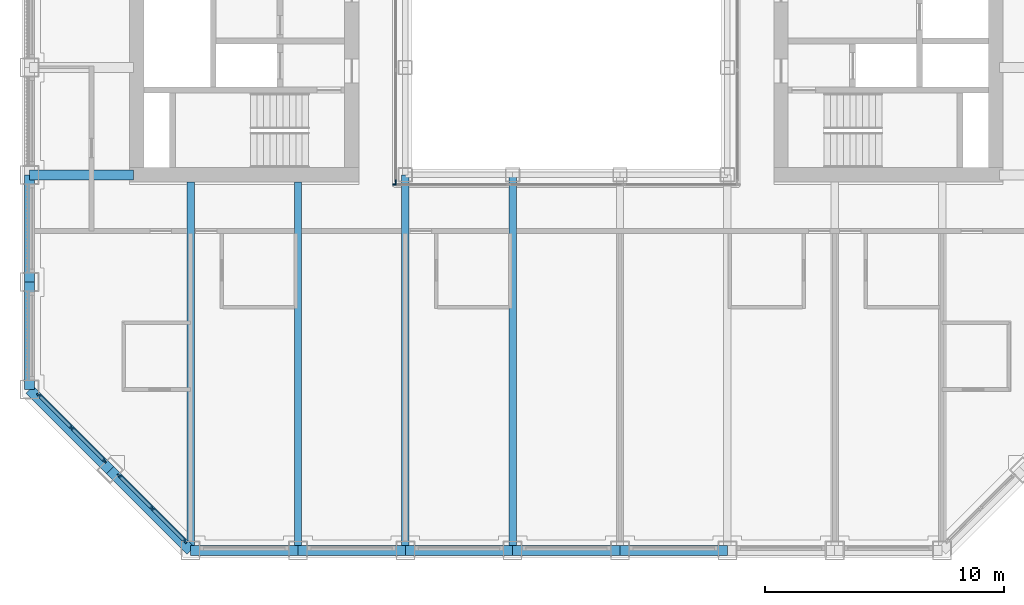
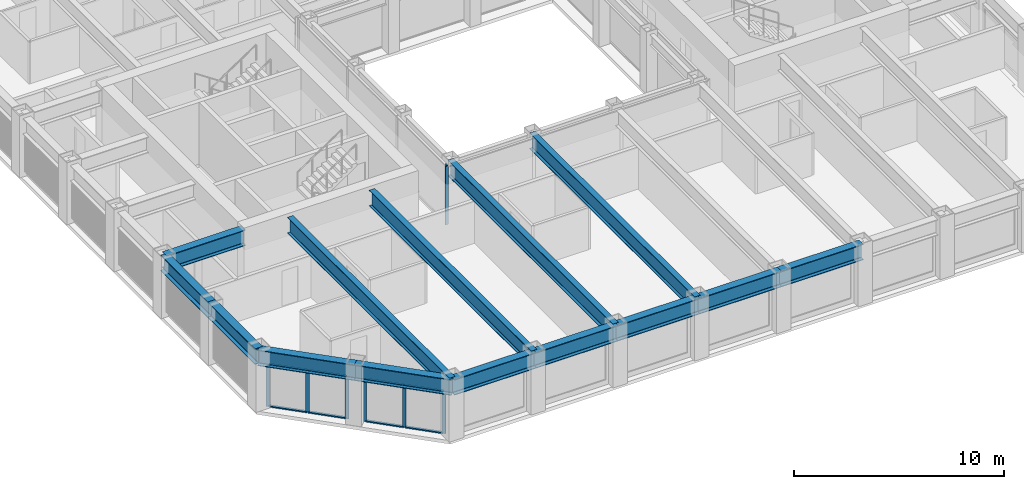
# One storey, part 2 of 17: 16 members, 14 beams, 4 elements without a shape of their own.
"""IFC4 building model written with IfcOpenShell, lengths in metres."""

from ifc_helpers import new_model, si_unit, direction, frame, origin, origin_2d, place, context, subcontext, project, spatial, rectangle, i_section, extrude, material, material_profile, profile_set, type_object, element, aggregate, save


model = new_model("IFC4")

# Units and contexts
model_context = context("Model", 3, precision=1e-05, world=origin(), true_north=direction((0.0, 1.0)))
body_context = subcontext(model_context, "Body", "Model", "MODEL_VIEW")
ifc_project = project(units=[si_unit("LENGTHUNIT", "METRE"), si_unit("AREAUNIT", "SQUARE_METRE"), si_unit("VOLUMEUNIT", "CUBIC_METRE"), si_unit("PLANEANGLEUNIT", "RADIAN"), si_unit("MASSUNIT", "GRAM", prefix="KILO")], contexts=[model_context])

# Site, building, storey
site_placement = place(None, origin())
site = spatial("IfcSite", under=ifc_project, at=site_placement, CompositionType="ELEMENT")
building_placement = place(site_placement, origin())
building = spatial("IfcBuilding", under=site, at=building_placement, Name="Msasa Ring Tower", CompositionType="ELEMENT")
storey_placement = place(building_placement, frame((0.0, 0.0, 176.0)))
storey = spatial("IfcBuildingStorey", under=building, at=storey_placement, Name="L46", CompositionType="ELEMENT", Elevation=176.0)

# Curtain wall, members
ifc_material_1 = material(Name="Aluminium curtain wall with clear glass", Category="aluminium")
curtain_wall_type_1 = type_object("IfcCurtainWallType", Name="CW-C CHAMFER CORNER CURTAIN WALL", PredefinedType="NOTDEFINED", material=ifc_material_1)
curtain_wall_1_placement = place(storey_placement, origin())
curtain_wall_1 = element("IfcCurtainWall", 1, at=curtain_wall_1_placement, inside=storey, type_object=curtain_wall_type_1, Name="Chamfer corner curtain wall SW L46", PredefinedType="NOTDEFINED")
ifc_material_2 = material(Name="Aluminium mullion", Category="aluminium")
ifc_material_profile_1 = material_profile(ifc_material_2, rectangle(XDim=0.06494140625, YDim=0.179931640625, at=origin_2d()), Name="AL 65x180")
ifc_profile_set_1 = profile_set([ifc_material_profile_1], Name="Aluminium mullion")
member_type_1 = type_object("IfcMemberType", Name="CW-C MULLION 65x180", PredefinedType="MULLION", material=ifc_profile_set_1)
member_1_placement = place(storey_placement, frame((-22.119873046875, -15.98876953125, 0.0), z_axis=(0.0, 0.0, 1.0), x_axis=(0.707106781187, 0.707106781187, 0.0)))
member_1 = element("IfcMember", 2, at=member_1_placement, type_object=member_type_1, Name="CW-C mullion 1", PredefinedType="MULLION", context=body_context, shape_type="SweptSolid", body=[
    extrude(rectangle(XDim=0.06494140625, YDim=0.179931640625, at=origin_2d()), origin(), (0.0, 0.0, 1.0), 2.47900390625),
])
member_2_placement = place(storey_placement, frame((-20.74169921875, -17.36669921875, 0.0), z_axis=(0.0, 0.0, 1.0), x_axis=(0.707106781187, 0.707106781187, 0.0)))
member_2 = element("IfcMember", 3, at=member_2_placement, type_object=member_type_1, Name="CW-C mullion 2", PredefinedType="MULLION", context=body_context, shape_type="SweptSolid", body=[
    extrude(rectangle(XDim=0.06494140625, YDim=0.179931640625, at=origin_2d()), origin(), (0.0, 0.0, 1.0), 2.47900390625),
])
member_3_placement = place(storey_placement, frame((-19.36376953125, -18.744873046875, 0.0), z_axis=(0.0, 0.0, 1.0), x_axis=(0.707106781187, 0.707106781187, 0.0)))
member_3 = element("IfcMember", 4, at=member_3_placement, type_object=member_type_1, Name="CW-C mullion 3", PredefinedType="MULLION", context=body_context, shape_type="SweptSolid", body=[
    extrude(rectangle(XDim=0.06494140625, YDim=0.179931640625, at=origin_2d()), origin(), (0.0, 0.0, 1.0), 2.47900390625),
])

curtain_wall_2_placement = place(storey_placement, origin())
curtain_wall_2 = element("IfcCurtainWall", 5, at=curtain_wall_2_placement, inside=storey, type_object=curtain_wall_type_1, Name="Chamfer corner curtain wall SW L46", PredefinedType="NOTDEFINED")
member_4_placement = place(storey_placement, frame((-18.744873046875, -19.36376953125, 0.0), z_axis=(0.0, 0.0, 1.0), x_axis=(0.707106781187, 0.707106781187, 0.0)))
member_4 = element("IfcMember", 6, at=member_4_placement, type_object=member_type_1, Name="CW-C mullion 1", PredefinedType="MULLION", context=body_context, shape_type="SweptSolid", body=[
    extrude(rectangle(XDim=0.06494140625, YDim=0.179931640625, at=origin_2d()), origin(), (0.0, 0.0, 1.0), 2.47900390625),
])
member_5_placement = place(storey_placement, frame((-17.36669921875, -20.74169921875, 0.0), z_axis=(0.0, 0.0, 1.0), x_axis=(0.707106781187, 0.707106781187, 0.0)))
member_5 = element("IfcMember", 7, at=member_5_placement, type_object=member_type_1, Name="CW-C mullion 2", PredefinedType="MULLION", context=body_context, shape_type="SweptSolid", body=[
    extrude(rectangle(XDim=0.06494140625, YDim=0.179931640625, at=origin_2d()), origin(), (0.0, 0.0, 1.0), 2.47900390625),
])
member_6_placement = place(storey_placement, frame((-15.98876953125, -22.119873046875, 0.0), z_axis=(0.0, 0.0, 1.0), x_axis=(0.707106781187, 0.707106781187, 0.0)))
member_6 = element("IfcMember", 8, at=member_6_placement, type_object=member_type_1, Name="CW-C mullion 3", PredefinedType="MULLION", context=body_context, shape_type="SweptSolid", body=[
    extrude(rectangle(XDim=0.06494140625, YDim=0.179931640625, at=origin_2d()), origin(), (0.0, 0.0, 1.0), 2.47900390625),
])

# Member
ifc_material_3 = material(Name="Aluminium transom", Category="aluminium")
ifc_material_profile_2 = material_profile(ifc_material_3, rectangle(XDim=0.139892578125, YDim=0.06494140625, at=origin_2d()), Name="AL 65x140")
ifc_profile_set_2 = profile_set([ifc_material_profile_2], Name="Aluminium transom")
member_type_2 = type_object("IfcMemberType", Name="CW-C TRANSOM 65x140", PredefinedType="USERDEFINED", material=ifc_profile_set_2)
member_7_placement = place(storey_placement, frame((-22.096923828125, -16.01171875, 0.032470703125), z_axis=(0.707106781187, -0.707106781187, 0.0), x_axis=(0.707106781187, 0.707106781187, 0.0)))
member_7 = element("IfcMember", 9, at=member_7_placement, type_object=member_type_2, Name="CW-C transom 1.1", ObjectType="TRANSOM", PredefinedType="USERDEFINED", context=body_context, shape_type="SweptSolid", body=[
    extrude(rectangle(XDim=0.139892578125, YDim=0.06494140625, at=origin_2d()), origin(), (0.0, 0.0, 1.0), 1.8837890625),
])

member_8_placement = place(storey_placement, frame((-22.096923828125, -16.01171875, 2.446533203125), z_axis=(0.707106781187, -0.707106781187, 0.0), x_axis=(0.707106781187, 0.707106781187, 0.0)))
member_8 = element("IfcMember", 10, at=member_8_placement, type_object=member_type_2, Name="CW-C transom 1.2", ObjectType="TRANSOM", PredefinedType="USERDEFINED", context=body_context, shape_type="SweptSolid", body=[
    extrude(rectangle(XDim=0.139892578125, YDim=0.06494140625, at=origin_2d()), origin(), (0.0, 0.0, 1.0), 1.8837890625),
])

member_9_placement = place(storey_placement, frame((-20.71875, -17.389892578125, 0.032470703125), z_axis=(0.707106781187, -0.707106781187, 0.0), x_axis=(0.707106781187, 0.707106781187, 0.0)))
member_9 = element("IfcMember", 11, at=member_9_placement, type_object=member_type_2, Name="CW-C transom 2.1", ObjectType="TRANSOM", PredefinedType="USERDEFINED", context=body_context, shape_type="SweptSolid", body=[
    extrude(rectangle(XDim=0.139892578125, YDim=0.06494140625, at=origin_2d()), origin(), (0.0, 0.0, 1.0), 1.8837890625),
])

member_10_placement = place(storey_placement, frame((-20.71875, -17.389892578125, 2.446533203125), z_axis=(0.707106781187, -0.707106781187, 0.0), x_axis=(0.707106781187, 0.707106781187, 0.0)))
member_10 = element("IfcMember", 12, at=member_10_placement, type_object=member_type_2, Name="CW-C transom 2.2", ObjectType="TRANSOM", PredefinedType="USERDEFINED", context=body_context, shape_type="SweptSolid", body=[
    extrude(rectangle(XDim=0.139892578125, YDim=0.06494140625, at=origin_2d()), origin(), (0.0, 0.0, 1.0), 1.8837890625),
])

aggregate(curtain_wall_1, [member_1, member_2, member_3, member_7, member_8, member_9, member_10])

member_11_placement = place(storey_placement, frame((-18.721923828125, -19.38671875, 0.032470703125), z_axis=(0.707106781187, -0.707106781187, 0.0), x_axis=(0.707106781187, 0.707106781187, 0.0)))
member_11 = element("IfcMember", 13, at=member_11_placement, type_object=member_type_2, Name="CW-C transom 1.1", ObjectType="TRANSOM", PredefinedType="USERDEFINED", context=body_context, shape_type="SweptSolid", body=[
    extrude(rectangle(XDim=0.139892578125, YDim=0.06494140625, at=origin_2d()), origin(), (0.0, 0.0, 1.0), 1.8837890625),
])

member_12_placement = place(storey_placement, frame((-18.721923828125, -19.38671875, 2.446533203125), z_axis=(0.707106781187, -0.707106781187, 0.0), x_axis=(0.707106781187, 0.707106781187, 0.0)))
member_12 = element("IfcMember", 14, at=member_12_placement, type_object=member_type_2, Name="CW-C transom 1.2", ObjectType="TRANSOM", PredefinedType="USERDEFINED", context=body_context, shape_type="SweptSolid", body=[
    extrude(rectangle(XDim=0.139892578125, YDim=0.06494140625, at=origin_2d()), origin(), (0.0, 0.0, 1.0), 1.8837890625),
])

member_13_placement = place(storey_placement, frame((-17.34375, -20.764892578125, 0.032470703125), z_axis=(0.707106781187, -0.707106781187, 0.0), x_axis=(0.707106781187, 0.707106781187, 0.0)))
member_13 = element("IfcMember", 15, at=member_13_placement, type_object=member_type_2, Name="CW-C transom 2.1", ObjectType="TRANSOM", PredefinedType="USERDEFINED", context=body_context, shape_type="SweptSolid", body=[
    extrude(rectangle(XDim=0.139892578125, YDim=0.06494140625, at=origin_2d()), origin(), (0.0, 0.0, 1.0), 1.8837890625),
])

member_14_placement = place(storey_placement, frame((-17.34375, -20.764892578125, 2.446533203125), z_axis=(0.707106781187, -0.707106781187, 0.0), x_axis=(0.707106781187, 0.707106781187, 0.0)))
member_14 = element("IfcMember", 16, at=member_14_placement, type_object=member_type_2, Name="CW-C transom 2.2", ObjectType="TRANSOM", PredefinedType="USERDEFINED", context=body_context, shape_type="SweptSolid", body=[
    extrude(rectangle(XDim=0.139892578125, YDim=0.06494140625, at=origin_2d()), origin(), (0.0, 0.0, 1.0), 1.8837890625),
])

aggregate(curtain_wall_2, [member_4, member_5, member_6, member_11, member_12, member_13, member_14])

# Curtain wall, member
ifc_material_4 = material(Name="Aluminium curtain wall with clear glass", Category="aluminium")
curtain_wall_type_2 = type_object("IfcCurtainWallType", Name="CW-W LIGHT WELL CURTAIN WALL", PredefinedType="NOTDEFINED", material=ifc_material_4)
curtain_wall_3_placement = place(storey_placement, origin())
curtain_wall_3 = element("IfcCurtainWall", 17, at=curtain_wall_3_placement, inside=storey, type_object=curtain_wall_type_2, Name="Light well curtain wall S L46", PredefinedType="NOTDEFINED")
ifc_material_5 = material(Name="Aluminium mullion", Category="aluminium")
ifc_material_profile_3 = material_profile(ifc_material_5, rectangle(XDim=0.06005859375, YDim=0.159912109375, at=origin_2d()), Name="AL 60x160")
ifc_profile_set_3 = profile_set([ifc_material_profile_3], Name="Aluminium mullion")
member_type_3 = type_object("IfcMemberType", Name="CW-W MULLION 60x160", PredefinedType="MULLION", material=ifc_profile_set_3)
member_15_placement = place(storey_placement, frame((-7.199951171875, -7.14990234375, 0.0), z_axis=(0.0, 0.0, 1.0), x_axis=(0.0, 1.0, 0.0)))
member_15 = element("IfcMember", 18, at=member_15_placement, type_object=member_type_3, Name="CW-W mullion 1", PredefinedType="MULLION", context=body_context, shape_type="SweptSolid", body=[
    extrude(rectangle(XDim=0.06005859375, YDim=0.159912109375, at=origin_2d()), origin(), (0.0, 0.0, 1.0), 3.39990234375),
])
aggregate(curtain_wall_3, [member_15])

curtain_wall_4_placement = place(storey_placement, origin())
curtain_wall_4 = element("IfcCurtainWall", 19, at=curtain_wall_4_placement, inside=storey, type_object=curtain_wall_type_2, Name="Light well curtain wall W L46", PredefinedType="NOTDEFINED")
member_16_placement = place(storey_placement, frame((-7.14990234375, -7.0400390625, 0.0), z_axis=(0.0, 0.0, 1.0), x_axis=(-1.0, 0.0, 0.0)))
member_16 = element("IfcMember", 20, at=member_16_placement, type_object=member_type_3, Name="CW-W mullion 1", PredefinedType="MULLION", context=body_context, shape_type="SweptSolid", body=[
    extrude(rectangle(XDim=0.06005859375, YDim=0.159912109375, at=origin_2d()), origin(), (0.0, 0.0, 1.0), 3.39990234375),
])
aggregate(curtain_wall_4, [member_16])

# Beams
ifc_material_6 = material(Name="Steel S355", Category="steel")
ifc_material_profile_4 = material_profile(ifc_material_6, i_section(OverallWidth=0.3076171875, OverallDepth=0.926513671875, WebThickness=0.01953125, FlangeThickness=0.031982421875, FilletRadius=0.01904296875, at=origin_2d()), Name="UB 914x305x289")
ifc_profile_set_4 = profile_set([ifc_material_profile_4], Name="Steel S355")
beam_type_1 = type_object("IfcBeamType", Name="FB3 UB 914x305x289", PredefinedType="BEAM", material=ifc_profile_set_4)
for number, where, z_axis, x_axis, name in (
    (21, (-15.75, -22.5, 2.936767578125), (0.0, 1.0, 0.0), (-1.0, 0.0, 0.0), "Floor beam S-15.75 under L47"),
    (22, (-11.25, -22.5, 2.936767578125), (0.0, 1.0, 0.0), (-1.0, 0.0, 0.0), "Floor beam S-11.25 under L47"),
):
    element("IfcBeam", number, at=place(storey_placement, frame(where, z_axis=z_axis, x_axis=x_axis)), inside=storey, type_object=beam_type_1, Name=name, PredefinedType="BEAM", context=body_context, shape_type="SweptSolid", body=[
        extrude(i_section(OverallWidth=0.3076171875, OverallDepth=0.926513671875, WebThickness=0.01953125, FlangeThickness=0.031982421875, FilletRadius=0.01904296875, at=origin_2d()), origin(), (0.0, 0.0, 1.0), 15.449951171875),
    ])
for number, where, z_axis, x_axis, name in (
    (23, (-6.75, -22.5, 2.936767578125), (0.0, 1.0, 0.0), (-1.0, 0.0, 0.0), "Floor beam S-6.75 under L47"),
    (24, (-2.25, -22.5, 2.936767578125), (0.0, 1.0, 0.0), (-1.0, 0.0, 0.0), "Floor beam S-2.25 under L47"),
):
    element("IfcBeam", number, at=place(storey_placement, frame(where, z_axis=z_axis, x_axis=x_axis)), inside=storey, type_object=beam_type_1, Name=name, PredefinedType="BEAM", context=body_context, shape_type="SweptSolid", body=[
        extrude(i_section(OverallWidth=0.3076171875, OverallDepth=0.926513671875, WebThickness=0.01953125, FlangeThickness=0.031982421875, FilletRadius=0.01904296875, at=origin_2d()), origin(), (0.0, 0.0, 1.0), 15.75),
    ])
ifc_material_7 = material(Name="Steel S355", Category="steel")
ifc_material_profile_5 = material_profile(ifc_material_7, i_section(OverallWidth=0.42041015625, OverallDepth=0.9208984375, WebThickness=0.021484375, FlangeThickness=0.03662109375, FilletRadius=0.024169921875, at=origin_2d()), Name="UB 914x419x388")
ifc_profile_set_5 = profile_set([ifc_material_profile_5], Name="Steel S355")
beam_type_2 = type_object("IfcBeamType", Name="GB1 UB 914x419x388", PredefinedType="BEAM", material=ifc_profile_set_5)
beam_placement = place(storey_placement, frame((-18.14990234375, -6.75, 2.939453125), z_axis=(-1.0, 0.0, 0.0), x_axis=(0.0, -1.0, 0.0)))
element("IfcBeam", 25, at=beam_placement, inside=storey, type_object=beam_type_2, Name="Girder W -6.75 under L47", PredefinedType="BEAM", context=body_context, shape_type="SweptSolid", body=[
    extrude(i_section(OverallWidth=0.42041015625, OverallDepth=0.9208984375, WebThickness=0.021484375, FlangeThickness=0.03662109375, FilletRadius=0.024169921875, at=origin_2d()), origin(), (0.0, 0.0, 1.0), 4.35009765625),
])
ifc_material_8 = material(Name="Steel S355", Category="steel")
ifc_material_profile_6 = material_profile(ifc_material_8, i_section(OverallWidth=0.42041015625, OverallDepth=0.9208984375, WebThickness=0.021484375, FlangeThickness=0.03662109375, FilletRadius=0.024169921875, at=origin_2d()), Name="UB 914x419x388")
ifc_profile_set_6 = profile_set([ifc_material_profile_6], Name="Steel S355")
beam_type_3 = type_object("IfcBeamType", Name="SB1 UB 914x419x388", PredefinedType="SPANDREL", material=ifc_profile_set_6)
for number, where, z_axis, x_axis, name in (
    (26, (-22.5, -6.75, 2.939453125), (0.0, -1.0, 0.0), (1.0, 0.0, 0.0), "Spandrel W-6.75 to W-11.25 under L47"),
    (27, (-22.5, -11.25, 2.939453125), (0.0, -1.0, 0.0), (1.0, 0.0, 0.0), "Spandrel W-11.25 to W-15.75 under L47"),
):
    element("IfcBeam", number, at=place(storey_placement, frame(where, z_axis=z_axis, x_axis=x_axis)), inside=storey, type_object=beam_type_3, Name=name, PredefinedType="SPANDREL", context=body_context, shape_type="SweptSolid", body=[
        extrude(i_section(OverallWidth=0.42041015625, OverallDepth=0.9208984375, WebThickness=0.021484375, FlangeThickness=0.03662109375, FilletRadius=0.024169921875, at=origin_2d()), origin(), (0.0, 0.0, 1.0), 4.5),
    ])
for number, where, z_axis, x_axis, name in (
    (28, (-22.5, -15.75, 2.939453125), (0.707106781187, -0.707106781187, 0.0), (0.707106781187, 0.707106781187, 0.0), "Spandrel W-15.75 to SW under L47"),
    (29, (-19.125, -19.125, 2.939453125), (0.707106781187, -0.707106781187, 0.0), (0.707106781187, 0.707106781187, 0.0), "Spandrel SW to S-15.75 under L47"),
):
    element("IfcBeam", number, at=place(storey_placement, frame(where, z_axis=z_axis, x_axis=x_axis)), inside=storey, type_object=beam_type_3, Name=name, PredefinedType="SPANDREL", context=body_context, shape_type="SweptSolid", body=[
        extrude(i_section(OverallWidth=0.42041015625, OverallDepth=0.9208984375, WebThickness=0.021484375, FlangeThickness=0.03662109375, FilletRadius=0.024169921875, at=origin_2d()), origin(), (0.0, 0.0, 1.0), 4.77294921875),
    ])
for number, where, z_axis, x_axis, name in (
    (30, (-15.75, -22.5, 2.939453125), (1.0, 0.0, 0.0), (0.0, 1.0, 0.0), "Spandrel S-15.75 to S-11.25 under L47"),
    (31, (-11.25, -22.5, 2.939453125), (1.0, 0.0, 0.0), (0.0, 1.0, 0.0), "Spandrel S-11.25 to S-6.75 under L47"),
    (32, (-6.75, -22.5, 2.939453125), (1.0, 0.0, 0.0), (0.0, 1.0, 0.0), "Spandrel S-6.75 to S-2.25 under L47"),
    (33, (-2.25, -22.5, 2.939453125), (1.0, 0.0, 0.0), (0.0, 1.0, 0.0), "Spandrel S-2.25 to S+2.25 under L47"),
    (34, (2.25, -22.5, 2.939453125), (1.0, 0.0, 0.0), (0.0, 1.0, 0.0), "Spandrel S+2.25 to S+6.75 under L47"),
):
    element("IfcBeam", number, at=place(storey_placement, frame(where, z_axis=z_axis, x_axis=x_axis)), inside=storey, type_object=beam_type_3, Name=name, PredefinedType="SPANDREL", context=body_context, shape_type="SweptSolid", body=[
        extrude(i_section(OverallWidth=0.42041015625, OverallDepth=0.9208984375, WebThickness=0.021484375, FlangeThickness=0.03662109375, FilletRadius=0.024169921875, at=origin_2d()), origin(), (0.0, 0.0, 1.0), 4.5),
    ])

save(model, "model.ifc")
